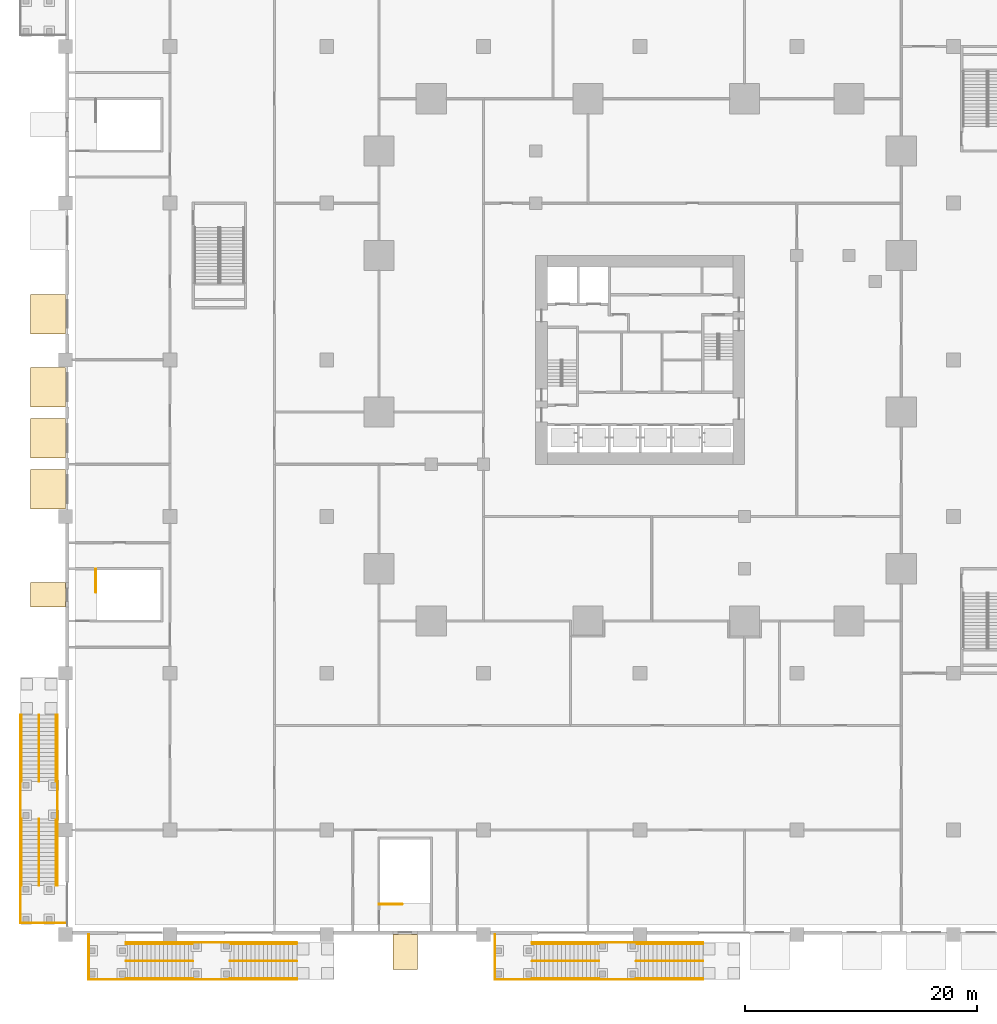
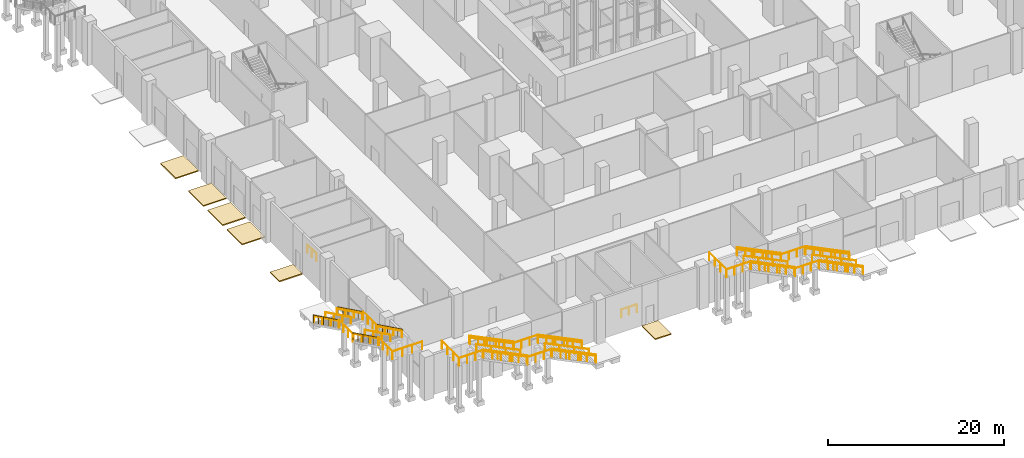
# One storey, part 58 of 68: 44 railings, 6 coverings.
"""IFC4 building model written with IfcOpenShell, lengths in metres."""

from ifc_helpers import new_model, si_unit, direction, frame, origin, origin_2d, place, context, subcontext, project, spatial, polyline, circle, outline, extrude, source, transform, mapped, material, layer, layer_set, type_object, element, save


model = new_model("IFC4")

# Units and contexts
model_context = context("Model", 3, precision=1e-05, world=origin(), true_north=direction((0.0, 1.0)))
body_context = subcontext(model_context, "Body", "Model", "MODEL_VIEW")
ifc_project = project(units=[si_unit("LENGTHUNIT", "METRE"), si_unit("AREAUNIT", "SQUARE_METRE"), si_unit("VOLUMEUNIT", "CUBIC_METRE"), si_unit("PLANEANGLEUNIT", "RADIAN"), si_unit("MASSUNIT", "GRAM", prefix="KILO")], contexts=[model_context])

# Site, building, storey
site_placement = place(None, origin())
site = spatial("IfcSite", under=ifc_project, at=site_placement, CompositionType="ELEMENT")
building_placement = place(site_placement, origin())
building = spatial("IfcBuilding", under=site, at=building_placement, Name="Altepetl Exchange Towers", CompositionType="ELEMENT")
storey_placement = place(building_placement, origin())
storey = spatial("IfcBuildingStorey", under=building, at=storey_placement, Name="L00 Ground concourse", CompositionType="ELEMENT", Elevation=0.0)

# Coverings
ifc_material_1 = material(Name="Cantera limestone paving", Category="masonry")
ifc_layer = layer(ifc_material_1, 0.14990234375)
ifc_layer_set = layer_set([ifc_layer], Name="Cantera limestone paving")
covering_type = type_object("IfcCoveringType", Name="Paving 150 limestone", PredefinedType="FLOORING", material=ifc_layer_set)
covering_1_placement = place(storey_placement, frame((0.0, 0.0, -0.14990234375)))
element("IfcCovering", 1, at=covering_1_placement, inside=storey, type_object=covering_type, Name="Paving", PredefinedType="FLOORING", context=body_context, shape_type="SweptSolid", body=[
    extrude(outline(polyline([(28.199951171875, -3.0), (30.300048828125, -3.0), (30.300048828125, 0.0), (28.199951171875, 0.0), (28.199951171875, -3.0)])), origin(), (0.0, 0.0, 1.0), 0.14990234375),
])
covering_2_placement = place(storey_placement, frame((0.0, 0.0, -0.14990234375)))
element("IfcCovering", 2, at=covering_2_placement, inside=storey, type_object=covering_type, Name="Paving", PredefinedType="FLOORING", context=body_context, shape_type="SweptSolid", body=[
    extrude(outline(polyline([(-3.0, 28.199951171875), (0.0, 28.199951171875), (0.0, 30.300048828125), (-3.0, 30.300048828125), (-3.0, 28.199951171875)])), origin(), (0.0, 0.0, 1.0), 0.14990234375),
])
covering_3_placement = place(storey_placement, frame((0.0, 0.0, -0.14990234375)))
element("IfcCovering", 3, at=covering_3_placement, inside=storey, type_object=covering_type, Name="Paving", PredefinedType="FLOORING", context=body_context, shape_type="SweptSolid", body=[
    extrude(outline(polyline([(-3.0, 36.64990234375), (0.0, 36.64990234375), (0.0, 40.050048828125), (-3.0, 40.050048828125), (-3.0, 36.64990234375)])), origin(), (0.0, 0.0, 1.0), 0.14990234375),
])
covering_4_placement = place(storey_placement, frame((0.0, 0.0, -0.14990234375)))
element("IfcCovering", 4, at=covering_4_placement, inside=storey, type_object=covering_type, Name="Paving", PredefinedType="FLOORING", context=body_context, shape_type="SweptSolid", body=[
    extrude(outline(polyline([(-3.0, 41.050048828125), (0.0, 41.050048828125), (0.0, 44.449951171875), (-3.0, 44.449951171875), (-3.0, 41.050048828125)])), origin(), (0.0, 0.0, 1.0), 0.14990234375),
])
covering_5_placement = place(storey_placement, frame((0.0, 0.0, -0.14990234375)))
element("IfcCovering", 5, at=covering_5_placement, inside=storey, type_object=covering_type, Name="Paving", PredefinedType="FLOORING", context=body_context, shape_type="SweptSolid", body=[
    extrude(outline(polyline([(-3.0, 45.449951171875), (0.0, 45.449951171875), (0.0, 48.85009765625), (-3.0, 48.85009765625), (-3.0, 45.449951171875)])), origin(), (0.0, 0.0, 1.0), 0.14990234375),
])
covering_6_placement = place(storey_placement, frame((0.0, 0.0, -0.14990234375)))
element("IfcCovering", 6, at=covering_6_placement, inside=storey, type_object=covering_type, Name="Paving", PredefinedType="FLOORING", context=body_context, shape_type="SweptSolid", body=[
    extrude(outline(polyline([(-3.0, 51.75), (0.0, 51.75), (0.0, 55.14990234375), (-3.0, 55.14990234375), (-3.0, 51.75)])), origin(), (0.0, 0.0, 1.0), 0.14990234375),
])

# Railings
ifc_material_2 = material(Name="Laminated glass and steel", Category="steel")
railing_type_1 = type_object("IfcRailingType", Name="Hall gallery guard 1100", PredefinedType="GUARDRAIL", material=ifc_material_2)
shared_shape_1 = source(origin(), body_context, "Body", "SweptSolid", [
    extrude(circle(Radius=0.02001953125, at=origin_2d()), origin(), (0.0, 0.0, 1.0), 1.050048828125),
])
railing_1_placement = place(storey_placement, frame((27.0, 2.60009765625, 0.0)))
element("IfcRailing", 7, at=railing_1_placement, inside=storey, type_object=railing_type_1, Name="rail:P:L00:ES1top", PredefinedType="GUARDRAIL", context=body_context, shape_type="SweptSolid", body=[
    extrude(circle(Radius=0.02490234375, at=origin_2d()), frame((0.0, 0.0, 1.0751953125), z_axis=(1.0, 0.0, 0.0), x_axis=(0.0, 1.0, 0.0)), (0.0, 0.0, 1.0), 2.02490234375),
    mapped(shared_shape_1, transform((0.0, 0.0, 0.0))),
    mapped(shared_shape_1, transform((1.012451171875, 0.0, 0.0))),
    mapped(shared_shape_1, transform((2.02490234375, 0.0, 0.0))),
])
railing_2_placement = place(storey_placement, frame((2.60009765625, 31.5, 0.0)))
element("IfcRailing", 8, at=railing_2_placement, inside=storey, type_object=railing_type_1, Name="rail:P:L00:ES3top", PredefinedType="GUARDRAIL", context=body_context, shape_type="SweptSolid", body=[
    extrude(circle(Radius=0.02490234375, at=origin_2d()), frame((0.0, 0.0, 1.0751953125), z_axis=(0.0, -1.0, 0.0), x_axis=(1.0, 0.0, 0.0)), (0.0, 0.0, 1.0), 2.02490234375),
    mapped(shared_shape_1, transform((0.0, 0.0, 0.0))),
    mapped(shared_shape_1, transform((0.0, -1.012451171875, 0.0))),
    mapped(shared_shape_1, transform((0.0, -2.02490234375, 0.0))),
])
for number, where, name in (
    (9, (10.9599609375, -3.89990234375, 3.176513671875), "rail:P:L00:G1flightA"),
    (10, (10.9599609375, -0.699951171875, 3.176513671875), "rail:P:L00:G1flightA_in"),
    (11, (19.919921875, -3.89990234375, 0.176513671875), "rail:P:L00:G1flightB"),
    (12, (19.919921875, -0.699951171875, 0.176513671875), "rail:P:L00:G1flightB_in"),
):
    element("IfcRailing", number, at=place(storey_placement, frame(where)), inside=storey, type_object=railing_type_1, Name=name, PredefinedType="GUARDRAIL", context=body_context, shape_type="SweptSolid", body=[
        extrude(circle(Radius=0.02490234375, at=origin_2d()), frame((0.0, 0.0, 1.0751953125), z_axis=(-0.897923672095, 0.0, 0.440151200262), x_axis=(0.0, -1.0, 0.0)), (0.0, 0.0, 1.0), 6.414794921875),
        mapped(shared_shape_1, transform((0.0, 0.0, 0.0))),
        mapped(shared_shape_1, transform((-1.152099609375, 0.0, 0.564697265625))),
        mapped(shared_shape_1, transform((-2.303955078125, 0.0, 1.12939453125))),
        mapped(shared_shape_1, transform((-3.4560546875, 0.0, 1.694091796875))),
        mapped(shared_shape_1, transform((-4.60791015625, 0.0, 2.2587890625))),
        mapped(shared_shape_1, transform((-5.760009765625, 0.0, 2.823486328125))),
    ])
for number, where, name in (
    (13, (10.9599609375, -3.89990234375, 3.0), "rail:P:L00:G1mid"),
    (14, (10.9599609375, -0.699951171875, 3.0), "rail:P:L00:G1mid_in"),
):
    element("IfcRailing", number, at=place(storey_placement, frame(where)), inside=storey, type_object=railing_type_1, Name=name, PredefinedType="GUARDRAIL", context=body_context, shape_type="SweptSolid", body=[
        extrude(circle(Radius=0.02490234375, at=origin_2d()), frame((0.0, 0.0, 1.0751953125), z_axis=(1.0, 0.0, 0.0), x_axis=(0.0, 1.0, 0.0)), (0.0, 0.0, 1.0), 3.199951171875),
        mapped(shared_shape_1, transform((0.0, 0.0, 0.0))),
        mapped(shared_shape_1, transform((1.066650390625, 0.0, 0.0))),
        mapped(shared_shape_1, transform((2.13330078125, 0.0, 0.0))),
        mapped(shared_shape_1, transform((3.199951171875, 0.0, 0.0))),
    ])
railing_3_placement = place(storey_placement, frame((2.0, 0.0, 6.0)))
element("IfcRailing", 15, at=railing_3_placement, inside=storey, type_object=railing_type_1, Name="rail:P:L00:G1platform_end", PredefinedType="GUARDRAIL", context=body_context, shape_type="SweptSolid", body=[
    extrude(circle(Radius=0.02490234375, at=origin_2d()), frame((0.0, 0.0, 1.0751953125), z_axis=(0.0, -1.0, 0.0), x_axis=(1.0, 0.0, 0.0)), (0.0, 0.0, 1.0), 3.89990234375),
    mapped(shared_shape_1, transform((0.0, 0.0, 0.0))),
    mapped(shared_shape_1, transform((0.0, -1.300048828125, 0.0))),
    mapped(shared_shape_1, transform((0.0, -2.599853515625, 0.0))),
    mapped(shared_shape_1, transform((0.0, -3.89990234375, 0.0))),
])
railing_4_placement = place(storey_placement, frame((2.0, -3.89990234375, 6.0)))
element("IfcRailing", 16, at=railing_4_placement, inside=storey, type_object=railing_type_1, Name="rail:P:L00:G1platform_out", PredefinedType="GUARDRAIL", context=body_context, shape_type="SweptSolid", body=[
    extrude(circle(Radius=0.02490234375, at=origin_2d()), frame((0.0, 0.0, 1.0751953125), z_axis=(1.0, 0.0, 0.0), x_axis=(0.0, 1.0, 0.0)), (0.0, 0.0, 1.0), 3.199951171875),
    mapped(shared_shape_1, transform((0.0, 0.0, 0.0))),
    mapped(shared_shape_1, transform((1.066650390625, 0.0, 0.0))),
    mapped(shared_shape_1, transform((2.13330078125, 0.0, 0.0))),
    mapped(shared_shape_1, transform((3.199951171875, 0.0, 0.0))),
])
for number, where, name in (
    (17, (45.9599609375, -3.89990234375, 3.176513671875), "rail:P:L00:G2flightA"),
    (18, (45.9599609375, -0.699951171875, 3.176513671875), "rail:P:L00:G2flightA_in"),
    (19, (54.919921875, -3.89990234375, 0.176513671875), "rail:P:L00:G2flightB"),
    (20, (54.919921875, -0.699951171875, 0.176513671875), "rail:P:L00:G2flightB_in"),
):
    element("IfcRailing", number, at=place(storey_placement, frame(where)), inside=storey, type_object=railing_type_1, Name=name, PredefinedType="GUARDRAIL", context=body_context, shape_type="SweptSolid", body=[
        extrude(circle(Radius=0.02490234375, at=origin_2d()), frame((0.0, 0.0, 1.0751953125), z_axis=(-0.897923672095, 0.0, 0.440151200262), x_axis=(0.0, -1.0, 0.0)), (0.0, 0.0, 1.0), 6.414794921875),
        mapped(shared_shape_1, transform((0.0, 0.0, 0.0))),
        mapped(shared_shape_1, transform((-1.152099609375, 0.0, 0.564697265625))),
        mapped(shared_shape_1, transform((-2.303955078125, 0.0, 1.12939453125))),
        mapped(shared_shape_1, transform((-3.4560546875, 0.0, 1.694091796875))),
        mapped(shared_shape_1, transform((-4.60791015625, 0.0, 2.2587890625))),
        mapped(shared_shape_1, transform((-5.760009765625, 0.0, 2.823486328125))),
    ])
for number, where, name in (
    (21, (45.9599609375, -3.89990234375, 3.0), "rail:P:L00:G2mid"),
    (22, (45.9599609375, -0.699951171875, 3.0), "rail:P:L00:G2mid_in"),
):
    element("IfcRailing", number, at=place(storey_placement, frame(where)), inside=storey, type_object=railing_type_1, Name=name, PredefinedType="GUARDRAIL", context=body_context, shape_type="SweptSolid", body=[
        extrude(circle(Radius=0.02490234375, at=origin_2d()), frame((0.0, 0.0, 1.0751953125), z_axis=(1.0, 0.0, 0.0), x_axis=(0.0, 1.0, 0.0)), (0.0, 0.0, 1.0), 3.199951171875),
        mapped(shared_shape_1, transform((0.0, 0.0, 0.0))),
        mapped(shared_shape_1, transform((1.066650390625, 0.0, 0.0))),
        mapped(shared_shape_1, transform((2.13330078125, 0.0, 0.0))),
        mapped(shared_shape_1, transform((3.199951171875, 0.0, 0.0))),
    ])
railing_5_placement = place(storey_placement, frame((37.0, 0.0, 6.0)))
element("IfcRailing", 23, at=railing_5_placement, inside=storey, type_object=railing_type_1, Name="rail:P:L00:G2platform_end", PredefinedType="GUARDRAIL", context=body_context, shape_type="SweptSolid", body=[
    extrude(circle(Radius=0.02490234375, at=origin_2d()), frame((0.0, 0.0, 1.0751953125), z_axis=(0.0, -1.0, 0.0), x_axis=(1.0, 0.0, 0.0)), (0.0, 0.0, 1.0), 3.89990234375),
    mapped(shared_shape_1, transform((0.0, 0.0, 0.0))),
    mapped(shared_shape_1, transform((0.0, -1.300048828125, 0.0))),
    mapped(shared_shape_1, transform((0.0, -2.599853515625, 0.0))),
    mapped(shared_shape_1, transform((0.0, -3.89990234375, 0.0))),
])
railing_6_placement = place(storey_placement, frame((37.0, -3.89990234375, 6.0)))
element("IfcRailing", 24, at=railing_6_placement, inside=storey, type_object=railing_type_1, Name="rail:P:L00:G2platform_out", PredefinedType="GUARDRAIL", context=body_context, shape_type="SweptSolid", body=[
    extrude(circle(Radius=0.02490234375, at=origin_2d()), frame((0.0, 0.0, 1.0751953125), z_axis=(1.0, 0.0, 0.0), x_axis=(0.0, 1.0, 0.0)), (0.0, 0.0, 1.0), 3.199951171875),
    mapped(shared_shape_1, transform((0.0, 0.0, 0.0))),
    mapped(shared_shape_1, transform((1.066650390625, 0.0, 0.0))),
    mapped(shared_shape_1, transform((2.13330078125, 0.0, 0.0))),
    mapped(shared_shape_1, transform((3.199951171875, 0.0, 0.0))),
])
for number, where, name in (
    (25, (-3.89990234375, 9.9599609375, 3.176513671875), "rail:P:L00:G9flightA"),
    (26, (-0.699951171875, 9.9599609375, 3.176513671875), "rail:P:L00:G9flightA_in"),
    (27, (-3.89990234375, 18.919921875, 0.176513671875), "rail:P:L00:G9flightB"),
    (28, (-0.699951171875, 18.919921875, 0.176513671875), "rail:P:L00:G9flightB_in"),
):
    element("IfcRailing", number, at=place(storey_placement, frame(where)), inside=storey, type_object=railing_type_1, Name=name, PredefinedType="GUARDRAIL", context=body_context, shape_type="SweptSolid", body=[
        extrude(circle(Radius=0.02490234375, at=origin_2d()), frame((0.0, 0.0, 1.0751953125), z_axis=(0.0, -0.897923672095, 0.440151200262), x_axis=(1.0, 0.0, 0.0)), (0.0, 0.0, 1.0), 6.414794921875),
        mapped(shared_shape_1, transform((0.0, 0.0, 0.0))),
        mapped(shared_shape_1, transform((0.0, -1.152099609375, 0.564697265625))),
        mapped(shared_shape_1, transform((0.0, -2.303955078125, 1.12939453125))),
        mapped(shared_shape_1, transform((0.0, -3.4560546875, 1.694091796875))),
        mapped(shared_shape_1, transform((0.0, -4.60791015625, 2.2587890625))),
        mapped(shared_shape_1, transform((0.0, -5.760009765625, 2.823486328125))),
    ])
for number, where, name in (
    (29, (-3.89990234375, 9.9599609375, 3.0), "rail:P:L00:G9mid"),
    (30, (-0.699951171875, 9.9599609375, 3.0), "rail:P:L00:G9mid_in"),
):
    element("IfcRailing", number, at=place(storey_placement, frame(where)), inside=storey, type_object=railing_type_1, Name=name, PredefinedType="GUARDRAIL", context=body_context, shape_type="SweptSolid", body=[
        extrude(circle(Radius=0.02490234375, at=origin_2d()), frame((0.0, 0.0, 1.0751953125), z_axis=(0.0, 1.0, 0.0), x_axis=(-1.0, 0.0, 0.0)), (0.0, 0.0, 1.0), 3.199951171875),
        mapped(shared_shape_1, transform((0.0, 0.0, 0.0))),
        mapped(shared_shape_1, transform((0.0, 1.066650390625, 0.0))),
        mapped(shared_shape_1, transform((0.0, 2.13330078125, 0.0))),
        mapped(shared_shape_1, transform((0.0, 3.199951171875, 0.0))),
    ])
railing_7_placement = place(storey_placement, frame((0.0, 1.0, 6.0)))
element("IfcRailing", 31, at=railing_7_placement, inside=storey, type_object=railing_type_1, Name="rail:P:L00:G9platform_end", PredefinedType="GUARDRAIL", context=body_context, shape_type="SweptSolid", body=[
    extrude(circle(Radius=0.02490234375, at=origin_2d()), frame((0.0, 0.0, 1.0751953125), z_axis=(-1.0, 0.0, 0.0), x_axis=(0.0, -1.0, 0.0)), (0.0, 0.0, 1.0), 3.89990234375),
    mapped(shared_shape_1, transform((0.0, 0.0, 0.0))),
    mapped(shared_shape_1, transform((-1.300048828125, 0.0, 0.0))),
    mapped(shared_shape_1, transform((-2.599853515625, 0.0, 0.0))),
    mapped(shared_shape_1, transform((-3.89990234375, 0.0, 0.0))),
])
railing_8_placement = place(storey_placement, frame((-3.89990234375, 1.0, 6.0)))
element("IfcRailing", 32, at=railing_8_placement, inside=storey, type_object=railing_type_1, Name="rail:P:L00:G9platform_out", PredefinedType="GUARDRAIL", context=body_context, shape_type="SweptSolid", body=[
    extrude(circle(Radius=0.02490234375, at=origin_2d()), frame((0.0, 0.0, 1.0751953125), z_axis=(0.0, 1.0, 0.0), x_axis=(-1.0, 0.0, 0.0)), (0.0, 0.0, 1.0), 3.199951171875),
    mapped(shared_shape_1, transform((0.0, 0.0, 0.0))),
    mapped(shared_shape_1, transform((0.0, 1.066650390625, 0.0))),
    mapped(shared_shape_1, transform((0.0, 2.13330078125, 0.0))),
    mapped(shared_shape_1, transform((0.0, 3.199951171875, 0.0))),
])
ifc_material_3 = material(Name="Stainless steel", Category="steel")
railing_type_2 = type_object("IfcRailingType", Name="Stair handrail 900", PredefinedType="HANDRAIL", material=ifc_material_3)
shared_shape_2 = source(origin(), body_context, "Body", "SweptSolid", [
    extrude(circle(Radius=0.02001953125, at=origin_2d()), origin(), (0.0, 0.0, 1.0), 0.849853515625),
])
for number, where, name in (
    (33, (10.9599609375, -0.800048828125, 3.176513671875), "rail:P:L00:G1hA_in"),
    (34, (10.9599609375, -2.300048828125, 3.176513671875), "rail:P:L00:G1hA_mid"),
    (35, (10.9599609375, -3.800048828125, 3.176513671875), "rail:P:L00:G1hA_out"),
    (36, (19.919921875, -0.800048828125, 0.176513671875), "rail:P:L00:G1hB_in"),
    (37, (19.919921875, -2.300048828125, 0.176513671875), "rail:P:L00:G1hB_mid"),
    (38, (19.919921875, -3.800048828125, 0.176513671875), "rail:P:L00:G1hB_out"),
    (39, (45.9599609375, -0.800048828125, 3.176513671875), "rail:P:L00:G2hA_in"),
    (40, (45.9599609375, -2.300048828125, 3.176513671875), "rail:P:L00:G2hA_mid"),
    (41, (45.9599609375, -3.800048828125, 3.176513671875), "rail:P:L00:G2hA_out"),
    (42, (54.919921875, -0.800048828125, 0.176513671875), "rail:P:L00:G2hB_in"),
    (43, (54.919921875, -2.300048828125, 0.176513671875), "rail:P:L00:G2hB_mid"),
    (44, (54.919921875, -3.800048828125, 0.176513671875), "rail:P:L00:G2hB_out"),
):
    element("IfcRailing", number, at=place(storey_placement, frame(where)), inside=storey, type_object=railing_type_2, Name=name, PredefinedType="HANDRAIL", context=body_context, shape_type="SweptSolid", body=[
        extrude(circle(Radius=0.02490234375, at=origin_2d()), frame((0.0, 0.0, 0.875), z_axis=(-0.897923672095, 0.0, 0.440151200262), x_axis=(0.0, -1.0, 0.0)), (0.0, 0.0, 1.0), 6.414794921875),
        mapped(shared_shape_2, transform((0.0, 0.0, 0.0))),
        mapped(shared_shape_2, transform((-1.919921875, 0.0, 0.941162109375))),
        mapped(shared_shape_2, transform((-3.840087890625, 0.0, 1.88232421875))),
        mapped(shared_shape_2, transform((-5.760009765625, 0.0, 2.823486328125))),
    ])
for number, where, name in (
    (45, (-0.800048828125, 9.9599609375, 3.176513671875), "rail:P:L00:G9hA_in"),
    (46, (-2.300048828125, 9.9599609375, 3.176513671875), "rail:P:L00:G9hA_mid"),
    (47, (-3.800048828125, 9.9599609375, 3.176513671875), "rail:P:L00:G9hA_out"),
    (48, (-0.800048828125, 18.919921875, 0.176513671875), "rail:P:L00:G9hB_in"),
    (49, (-2.300048828125, 18.919921875, 0.176513671875), "rail:P:L00:G9hB_mid"),
    (50, (-3.800048828125, 18.919921875, 0.176513671875), "rail:P:L00:G9hB_out"),
):
    element("IfcRailing", number, at=place(storey_placement, frame(where)), inside=storey, type_object=railing_type_2, Name=name, PredefinedType="HANDRAIL", context=body_context, shape_type="SweptSolid", body=[
        extrude(circle(Radius=0.02490234375, at=origin_2d()), frame((0.0, 0.0, 0.875), z_axis=(0.0, -0.897923672095, 0.440151200262), x_axis=(1.0, 0.0, 0.0)), (0.0, 0.0, 1.0), 6.414794921875),
        mapped(shared_shape_2, transform((0.0, 0.0, 0.0))),
        mapped(shared_shape_2, transform((0.0, -1.919921875, 0.941162109375))),
        mapped(shared_shape_2, transform((0.0, -3.840087890625, 1.88232421875))),
        mapped(shared_shape_2, transform((0.0, -5.760009765625, 2.823486328125))),
    ])

save(model, "model.ifc")
